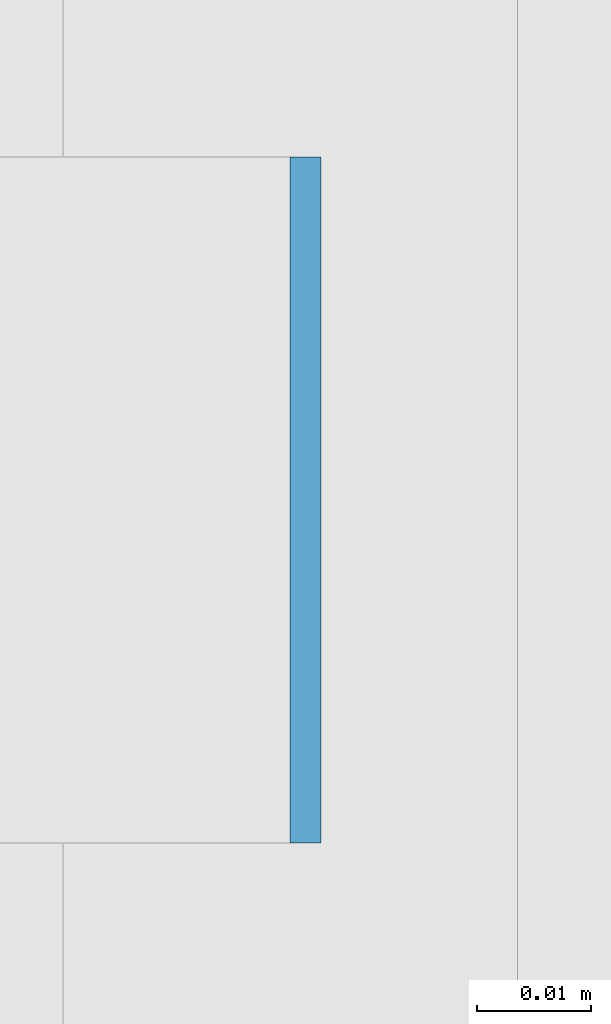
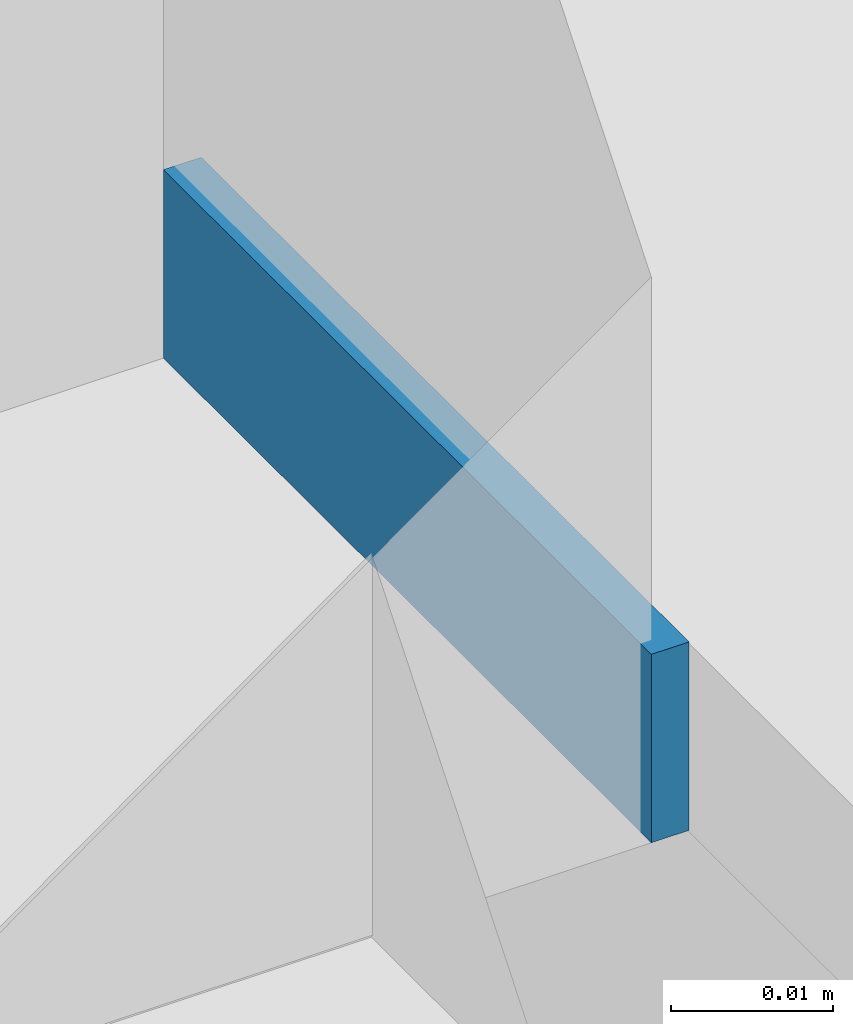
# One storey, part 352 of 646: 1 discrete accessory.
"""IFC4 building model written with IfcOpenShell, lengths in metres."""

from ifc_helpers import new_model, si_unit, direction, frame, origin, origin_2d, place, context, subcontext, project, spatial, rectangle, extrude, material, type_object, element, save


model = new_model("IFC4")

# Units and contexts
model_context = context("Model", 3, precision=1e-05, world=origin(), true_north=direction((0.0, 1.0)))
body_context = subcontext(model_context, "Body", "Model", "MODEL_VIEW")
ifc_project = project(units=[si_unit("LENGTHUNIT", "METRE"), si_unit("AREAUNIT", "SQUARE_METRE"), si_unit("VOLUMEUNIT", "CUBIC_METRE"), si_unit("PLANEANGLEUNIT", "RADIAN"), si_unit("MASSUNIT", "GRAM", prefix="KILO")], contexts=[model_context])

# Site, building, storey
site_placement = place(None, origin())
site = spatial("IfcSite", under=ifc_project, at=site_placement, CompositionType="ELEMENT")
building_placement = place(site_placement, origin())
building = spatial("IfcBuilding", under=site, at=building_placement, Name="Silverbay Arena", CompositionType="ELEMENT")
storey_placement = place(building_placement, frame((0.0, 0.0, 33.5)))
storey = spatial("IfcBuildingStorey", under=building, at=storey_placement, Name="L05", CompositionType="ELEMENT", Elevation=33.5)

# Discrete accessory
ifc_material = material(Name="Steel S355", Category="steel")
discrete_accessory_type = type_object("IfcDiscreteAccessoryType", Name="Steel bracket plate", PredefinedType="BRACKET", material=ifc_material)
discrete_accessory_placement = place(storey_placement, frame((53.871337890625, 91.28564453125, 4.0), z_axis=(0.0, 0.0, 1.0), x_axis=(1.0, 0.0, 0.0)))
element("IfcDiscreteAccessory", 1, at=discrete_accessory_placement, inside=storey, type_object=discrete_accessory_type, Name="Curtain wall packing plate", PredefinedType="BRACKET", context=body_context, shape_type="SweptSolid", body=[
    extrude(rectangle(XDim=0.002685546875, YDim=0.06005859375, at=origin_2d()), origin(), (0.0, 0.0, 1.0), 0.01416015625),
])

save(model, "model.ifc")
